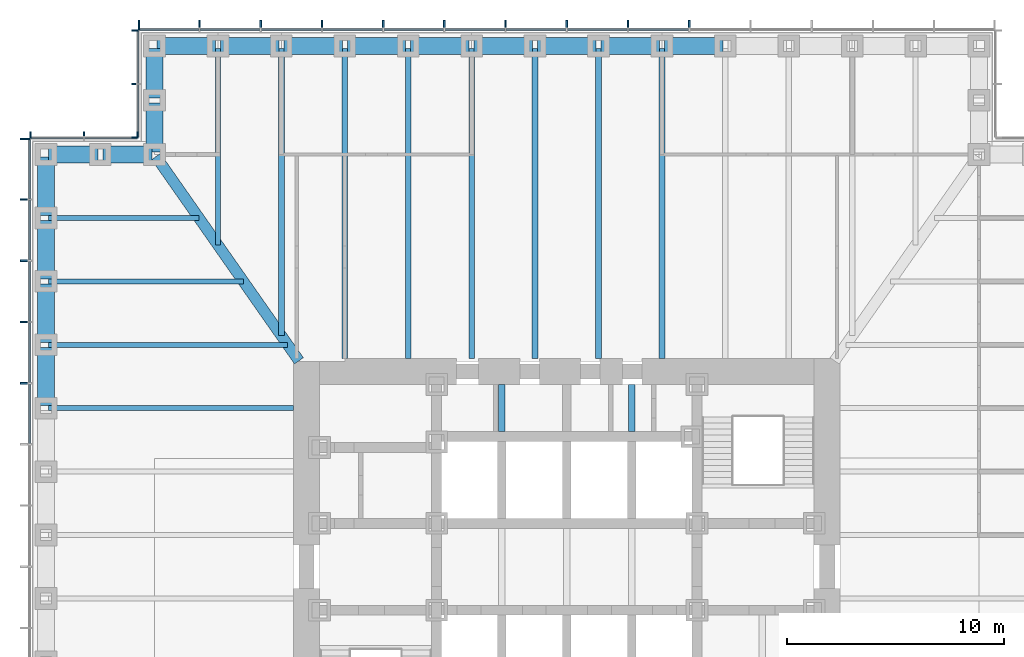
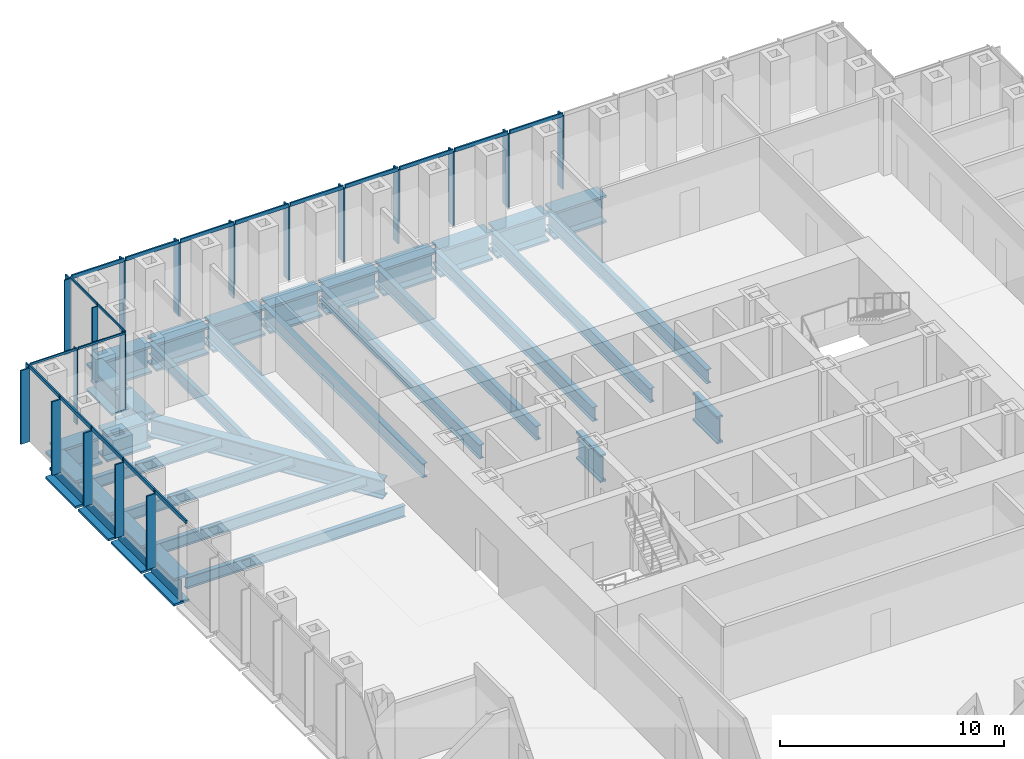
# One storey, part 5 of 16: 39 members, 32 beams, 4 elements without a shape of their own.
"""IFC4 building model written with IfcOpenShell, lengths in metres."""

from ifc_helpers import new_model, si_unit, direction, frame, origin, origin_2d, place, context, subcontext, project, spatial, rectangle, i_section, extrude, material, material_profile, profile_set, type_object, element, aggregate, save


model = new_model("IFC4")

# Units and contexts
model_context = context("Model", 3, precision=1e-05, world=origin(), true_north=direction((0.0, 1.0)))
body_context = subcontext(model_context, "Body", "Model", "MODEL_VIEW")
ifc_project = project(units=[si_unit("LENGTHUNIT", "METRE"), si_unit("AREAUNIT", "SQUARE_METRE"), si_unit("VOLUMEUNIT", "CUBIC_METRE"), si_unit("PLANEANGLEUNIT", "RADIAN"), si_unit("MASSUNIT", "GRAM", prefix="KILO")], contexts=[model_context])

# Site, building, storey
site_placement = place(None, origin())
site = spatial("IfcSite", under=ifc_project, at=site_placement, CompositionType="ELEMENT")
building_placement = place(site_placement, origin())
building = spatial("IfcBuilding", under=site, at=building_placement, Name="Daluyong Arena Tower", CompositionType="ELEMENT")
storey_placement = place(building_placement, frame((0.0, 0.0, 51.699951171875)))
storey = spatial("IfcBuildingStorey", under=building, at=storey_placement, Name="L10", CompositionType="ELEMENT", Elevation=51.699951171875)

# Curtain wall, members
ifc_material_1 = material(Name="Bronze anodised aluminium and glass", Category="aluminium")
curtain_wall_type_1 = type_object("IfcCurtainWallType", Name="Curtain wall CW1", PredefinedType="USERDEFINED", material=ifc_material_1)
curtain_wall_1_placement = place(storey_placement, origin())
curtain_wall_1 = element("IfcCurtainWall", 1, at=curtain_wall_1_placement, inside=storey, type_object=curtain_wall_type_1, Name="curtain wall L10 N", ObjectType="UNITISED CURTAIN WALL", PredefinedType="USERDEFINED")
ifc_material_2 = material(Name="Bronze anodised aluminium fin", Category="aluminium")
ifc_material_profile_1 = material_profile(ifc_material_2, rectangle(XDim=0.449951171875, YDim=0.080078125, at=origin_2d()))
ifc_profile_set_1 = profile_set([ifc_material_profile_1], Name="Bronze anodised aluminium fin")
member_type_1 = type_object("IfcMemberType", Name="CW1 bronze fin 450x80", PredefinedType="MULLION", material=ifc_profile_set_1)
member_1_placement = place(storey_placement, frame((61.642822265625, 104.97509765625, 0.0), z_axis=(0.0, 0.0, 1.0), x_axis=(0.0, -1.0, 0.0)))
member_1 = element("IfcMember", 2, at=member_1_placement, type_object=member_type_1, Name="curtain wall L10 N fin 6", PredefinedType="MULLION", context=body_context, shape_type="SweptSolid", body=[
    extrude(rectangle(XDim=0.449951171875, YDim=0.080078125, at=origin_2d()), origin(), (0.0, 0.0, 1.0), 4.0),
])
member_2_placement = place(storey_placement, frame((58.821533203125, 104.97509765625, 0.0), z_axis=(0.0, 0.0, 1.0), x_axis=(0.0, -1.0, 0.0)))
member_2 = element("IfcMember", 3, at=member_2_placement, type_object=member_type_1, Name="curtain wall L10 N fin 7", PredefinedType="MULLION", context=body_context, shape_type="SweptSolid", body=[
    extrude(rectangle(XDim=0.449951171875, YDim=0.080078125, at=origin_2d()), origin(), (0.0, 0.0, 1.0), 4.0),
])
member_3_placement = place(storey_placement, frame((56.0, 104.97509765625, 0.0), z_axis=(0.0, 0.0, 1.0), x_axis=(0.0, -1.0, 0.0)))
member_3 = element("IfcMember", 4, at=member_3_placement, type_object=member_type_1, Name="curtain wall L10 N fin 8", PredefinedType="MULLION", context=body_context, shape_type="SweptSolid", body=[
    extrude(rectangle(XDim=0.449951171875, YDim=0.080078125, at=origin_2d()), origin(), (0.0, 0.0, 1.0), 4.0),
])
member_4_placement = place(storey_placement, frame((53.178466796875, 104.97509765625, 0.0), z_axis=(0.0, 0.0, 1.0), x_axis=(0.0, -1.0, 0.0)))
member_4 = element("IfcMember", 5, at=member_4_placement, type_object=member_type_1, Name="curtain wall L10 N fin 9", PredefinedType="MULLION", context=body_context, shape_type="SweptSolid", body=[
    extrude(rectangle(XDim=0.449951171875, YDim=0.080078125, at=origin_2d()), origin(), (0.0, 0.0, 1.0), 4.0),
])
member_5_placement = place(storey_placement, frame((50.357177734375, 104.97509765625, 0.0), z_axis=(0.0, 0.0, 1.0), x_axis=(0.0, -1.0, 0.0)))
member_5 = element("IfcMember", 6, at=member_5_placement, type_object=member_type_1, Name="curtain wall L10 N fin 10", PredefinedType="MULLION", context=body_context, shape_type="SweptSolid", body=[
    extrude(rectangle(XDim=0.449951171875, YDim=0.080078125, at=origin_2d()), origin(), (0.0, 0.0, 1.0), 4.0),
])
member_6_placement = place(storey_placement, frame((47.53564453125, 104.97509765625, 0.0), z_axis=(0.0, 0.0, 1.0), x_axis=(0.0, -1.0, 0.0)))
member_6 = element("IfcMember", 7, at=member_6_placement, type_object=member_type_1, Name="curtain wall L10 N fin 11", PredefinedType="MULLION", context=body_context, shape_type="SweptSolid", body=[
    extrude(rectangle(XDim=0.449951171875, YDim=0.080078125, at=origin_2d()), origin(), (0.0, 0.0, 1.0), 4.0),
])
member_7_placement = place(storey_placement, frame((44.71435546875, 104.97509765625, 0.0), z_axis=(0.0, 0.0, 1.0), x_axis=(0.0, -1.0, 0.0)))
member_7 = element("IfcMember", 8, at=member_7_placement, type_object=member_type_1, Name="curtain wall L10 N fin 12", PredefinedType="MULLION", context=body_context, shape_type="SweptSolid", body=[
    extrude(rectangle(XDim=0.449951171875, YDim=0.080078125, at=origin_2d()), origin(), (0.0, 0.0, 1.0), 4.0),
])
member_8_placement = place(storey_placement, frame((41.892822265625, 104.97509765625, 0.0), z_axis=(0.0, 0.0, 1.0), x_axis=(0.0, -1.0, 0.0)))
member_8 = element("IfcMember", 9, at=member_8_placement, type_object=member_type_1, Name="curtain wall L10 N fin 13", PredefinedType="MULLION", context=body_context, shape_type="SweptSolid", body=[
    extrude(rectangle(XDim=0.449951171875, YDim=0.080078125, at=origin_2d()), origin(), (0.0, 0.0, 1.0), 4.0),
])
member_9_placement = place(storey_placement, frame((39.071533203125, 104.97509765625, 0.0), z_axis=(0.0, 0.0, 1.0), x_axis=(0.0, -1.0, 0.0)))
member_9 = element("IfcMember", 10, at=member_9_placement, type_object=member_type_1, Name="curtain wall L10 N fin 14", PredefinedType="MULLION", context=body_context, shape_type="SweptSolid", body=[
    extrude(rectangle(XDim=0.449951171875, YDim=0.080078125, at=origin_2d()), origin(), (0.0, 0.0, 1.0), 4.0),
])
member_10_placement = place(storey_placement, frame((36.2900390625, 104.97509765625, 0.0), z_axis=(0.0, 0.0, 1.0), x_axis=(0.0, -1.0, 0.0)))
member_10 = element("IfcMember", 11, at=member_10_placement, type_object=member_type_1, Name="curtain wall L10 N fin 15", PredefinedType="MULLION", context=body_context, shape_type="SweptSolid", body=[
    extrude(rectangle(XDim=0.449951171875, YDim=0.080078125, at=origin_2d()), origin(), (0.0, 0.0, 1.0), 4.0),
])

curtain_wall_2_placement = place(storey_placement, origin())
curtain_wall_2 = element("IfcCurtainWall", 12, at=curtain_wall_2_placement, inside=storey, type_object=curtain_wall_type_1, Name="curtain wall L10 W", ObjectType="UNITISED CURTAIN WALL", PredefinedType="USERDEFINED")
member_11_placement = place(storey_placement, frame((31.02490234375, 99.7099609375, 0.0), z_axis=(0.0, 0.0, 1.0), x_axis=(1.0, 0.0, 0.0)))
member_11 = element("IfcMember", 13, at=member_11_placement, type_object=member_type_1, Name="curtain wall L10 W fin 1", PredefinedType="MULLION", context=body_context, shape_type="SweptSolid", body=[
    extrude(rectangle(XDim=0.449951171875, YDim=0.080078125, at=origin_2d()), origin(), (0.0, 0.0, 1.0), 4.0),
])
member_12_placement = place(storey_placement, frame((31.02490234375, 96.928466796875, 0.0), z_axis=(0.0, 0.0, 1.0), x_axis=(1.0, 0.0, 0.0)))
member_12 = element("IfcMember", 14, at=member_12_placement, type_object=member_type_1, Name="curtain wall L10 W fin 2", PredefinedType="MULLION", context=body_context, shape_type="SweptSolid", body=[
    extrude(rectangle(XDim=0.449951171875, YDim=0.080078125, at=origin_2d()), origin(), (0.0, 0.0, 1.0), 4.0),
])
member_13_placement = place(storey_placement, frame((31.02490234375, 94.107177734375, 0.0), z_axis=(0.0, 0.0, 1.0), x_axis=(1.0, 0.0, 0.0)))
member_13 = element("IfcMember", 15, at=member_13_placement, type_object=member_type_1, Name="curtain wall L10 W fin 3", PredefinedType="MULLION", context=body_context, shape_type="SweptSolid", body=[
    extrude(rectangle(XDim=0.449951171875, YDim=0.080078125, at=origin_2d()), origin(), (0.0, 0.0, 1.0), 4.0),
])
member_14_placement = place(storey_placement, frame((31.02490234375, 91.28564453125, 0.0), z_axis=(0.0, 0.0, 1.0), x_axis=(1.0, 0.0, 0.0)))
member_14 = element("IfcMember", 16, at=member_14_placement, type_object=member_type_1, Name="curtain wall L10 W fin 4", PredefinedType="MULLION", context=body_context, shape_type="SweptSolid", body=[
    extrude(rectangle(XDim=0.449951171875, YDim=0.080078125, at=origin_2d()), origin(), (0.0, 0.0, 1.0), 4.0),
])
member_15_placement = place(storey_placement, frame((31.02490234375, 88.46435546875, 0.0), z_axis=(0.0, 0.0, 1.0), x_axis=(1.0, 0.0, 0.0)))
member_15 = element("IfcMember", 17, at=member_15_placement, type_object=member_type_1, Name="curtain wall L10 W fin 5", PredefinedType="MULLION", context=body_context, shape_type="SweptSolid", body=[
    extrude(rectangle(XDim=0.449951171875, YDim=0.080078125, at=origin_2d()), origin(), (0.0, 0.0, 1.0), 4.0),
])

# Member
ifc_material_3 = material(Name="Bronze anodised aluminium", Category="aluminium")
ifc_material_profile_2 = material_profile(ifc_material_3, rectangle(XDim=0.080078125, YDim=0.199951171875, at=origin_2d()))
ifc_profile_set_2 = profile_set([ifc_material_profile_2], Name="Bronze anodised aluminium")
member_type_2 = type_object("IfcMemberType", Name="CW1 stack transom 200x80", PredefinedType="USERDEFINED", material=ifc_profile_set_2)
member_16_placement = place(storey_placement, frame((61.602783203125, 104.75, 4.10009765625), z_axis=(-1.0, 0.0, 0.0), x_axis=(0.0, -1.0, 0.0)))
member_16 = element("IfcMember", 18, at=member_16_placement, type_object=member_type_2, Name="curtain wall L10 N transom 6", ObjectType="TRANSOM", PredefinedType="USERDEFINED", context=body_context, shape_type="SweptSolid", body=[
    extrude(rectangle(XDim=0.080078125, YDim=0.199951171875, at=origin_2d()), origin(), (0.0, 0.0, 1.0), 2.741455078125),
])

member_17_placement = place(storey_placement, frame((58.781494140625, 104.75, 4.10009765625), z_axis=(-1.0, 0.0, 0.0), x_axis=(0.0, -1.0, 0.0)))
member_17 = element("IfcMember", 19, at=member_17_placement, type_object=member_type_2, Name="curtain wall L10 N transom 7", ObjectType="TRANSOM", PredefinedType="USERDEFINED", context=body_context, shape_type="SweptSolid", body=[
    extrude(rectangle(XDim=0.080078125, YDim=0.199951171875, at=origin_2d()), origin(), (0.0, 0.0, 1.0), 2.741455078125),
])

member_18_placement = place(storey_placement, frame((55.9599609375, 104.75, 4.10009765625), z_axis=(-1.0, 0.0, 0.0), x_axis=(0.0, -1.0, 0.0)))
member_18 = element("IfcMember", 20, at=member_18_placement, type_object=member_type_2, Name="curtain wall L10 N transom 8", ObjectType="TRANSOM", PredefinedType="USERDEFINED", context=body_context, shape_type="SweptSolid", body=[
    extrude(rectangle(XDim=0.080078125, YDim=0.199951171875, at=origin_2d()), origin(), (0.0, 0.0, 1.0), 2.741455078125),
])

member_19_placement = place(storey_placement, frame((53.138671875, 104.75, 4.10009765625), z_axis=(-1.0, 0.0, 0.0), x_axis=(0.0, -1.0, 0.0)))
member_19 = element("IfcMember", 21, at=member_19_placement, type_object=member_type_2, Name="curtain wall L10 N transom 9", ObjectType="TRANSOM", PredefinedType="USERDEFINED", context=body_context, shape_type="SweptSolid", body=[
    extrude(rectangle(XDim=0.080078125, YDim=0.199951171875, at=origin_2d()), origin(), (0.0, 0.0, 1.0), 2.741455078125),
])

member_20_placement = place(storey_placement, frame((50.317138671875, 104.75, 4.10009765625), z_axis=(-1.0, 0.0, 0.0), x_axis=(0.0, -1.0, 0.0)))
member_20 = element("IfcMember", 22, at=member_20_placement, type_object=member_type_2, Name="curtain wall L10 N transom 10", ObjectType="TRANSOM", PredefinedType="USERDEFINED", context=body_context, shape_type="SweptSolid", body=[
    extrude(rectangle(XDim=0.080078125, YDim=0.199951171875, at=origin_2d()), origin(), (0.0, 0.0, 1.0), 2.741455078125),
])

member_21_placement = place(storey_placement, frame((47.49560546875, 104.75, 4.10009765625), z_axis=(-1.0, 0.0, 0.0), x_axis=(0.0, -1.0, 0.0)))
member_21 = element("IfcMember", 23, at=member_21_placement, type_object=member_type_2, Name="curtain wall L10 N transom 11", ObjectType="TRANSOM", PredefinedType="USERDEFINED", context=body_context, shape_type="SweptSolid", body=[
    extrude(rectangle(XDim=0.080078125, YDim=0.199951171875, at=origin_2d()), origin(), (0.0, 0.0, 1.0), 2.7412109375),
])

member_22_placement = place(storey_placement, frame((44.67431640625, 104.75, 4.10009765625), z_axis=(-1.0, 0.0, 0.0), x_axis=(0.0, -1.0, 0.0)))
member_22 = element("IfcMember", 24, at=member_22_placement, type_object=member_type_2, Name="curtain wall L10 N transom 12", ObjectType="TRANSOM", PredefinedType="USERDEFINED", context=body_context, shape_type="SweptSolid", body=[
    extrude(rectangle(XDim=0.080078125, YDim=0.199951171875, at=origin_2d()), origin(), (0.0, 0.0, 1.0), 2.741455078125),
])

member_23_placement = place(storey_placement, frame((41.852783203125, 104.75, 4.10009765625), z_axis=(-1.0, 0.0, 0.0), x_axis=(0.0, -1.0, 0.0)))
member_23 = element("IfcMember", 25, at=member_23_placement, type_object=member_type_2, Name="curtain wall L10 N transom 13", ObjectType="TRANSOM", PredefinedType="USERDEFINED", context=body_context, shape_type="SweptSolid", body=[
    extrude(rectangle(XDim=0.080078125, YDim=0.199951171875, at=origin_2d()), origin(), (0.0, 0.0, 1.0), 2.741455078125),
])

member_24_placement = place(storey_placement, frame((39.031494140625, 104.75, 4.10009765625), z_axis=(-1.0, 0.0, 0.0), x_axis=(0.0, -1.0, 0.0)))
member_24 = element("IfcMember", 26, at=member_24_placement, type_object=member_type_2, Name="curtain wall L10 N transom 14", ObjectType="TRANSOM", PredefinedType="USERDEFINED", context=body_context, shape_type="SweptSolid", body=[
    extrude(rectangle(XDim=0.080078125, YDim=0.199951171875, at=origin_2d()), origin(), (0.0, 0.0, 1.0), 2.701416015625),
])

aggregate(curtain_wall_1, [member_1, member_2, member_3, member_4, member_5, member_6, member_7, member_8, member_9, member_10, member_16, member_17, member_18, member_19, member_20, member_21, member_22, member_23, member_24])

member_25_placement = place(storey_placement, frame((31.25, 99.669921875, 4.10009765625), z_axis=(0.0, -1.0, 0.0), x_axis=(1.0, 0.0, 0.0)))
member_25 = element("IfcMember", 27, at=member_25_placement, type_object=member_type_2, Name="curtain wall L10 W transom 1", ObjectType="TRANSOM", PredefinedType="USERDEFINED", context=body_context, shape_type="SweptSolid", body=[
    extrude(rectangle(XDim=0.080078125, YDim=0.199951171875, at=origin_2d()), origin(), (0.0, 0.0, 1.0), 2.701416015625),
])

member_26_placement = place(storey_placement, frame((31.25, 96.888671875, 4.10009765625), z_axis=(0.0, -1.0, 0.0), x_axis=(1.0, 0.0, 0.0)))
member_26 = element("IfcMember", 28, at=member_26_placement, type_object=member_type_2, Name="curtain wall L10 W transom 2", ObjectType="TRANSOM", PredefinedType="USERDEFINED", context=body_context, shape_type="SweptSolid", body=[
    extrude(rectangle(XDim=0.080078125, YDim=0.199951171875, at=origin_2d()), origin(), (0.0, 0.0, 1.0), 2.741455078125),
])

member_27_placement = place(storey_placement, frame((31.25, 94.067138671875, 4.10009765625), z_axis=(0.0, -1.0, 0.0), x_axis=(1.0, 0.0, 0.0)))
member_27 = element("IfcMember", 29, at=member_27_placement, type_object=member_type_2, Name="curtain wall L10 W transom 3", ObjectType="TRANSOM", PredefinedType="USERDEFINED", context=body_context, shape_type="SweptSolid", body=[
    extrude(rectangle(XDim=0.080078125, YDim=0.199951171875, at=origin_2d()), origin(), (0.0, 0.0, 1.0), 2.741455078125),
])

member_28_placement = place(storey_placement, frame((31.25, 91.24560546875, 4.10009765625), z_axis=(0.0, -1.0, 0.0), x_axis=(1.0, 0.0, 0.0)))
member_28 = element("IfcMember", 30, at=member_28_placement, type_object=member_type_2, Name="curtain wall L10 W transom 4", ObjectType="TRANSOM", PredefinedType="USERDEFINED", context=body_context, shape_type="SweptSolid", body=[
    extrude(rectangle(XDim=0.080078125, YDim=0.199951171875, at=origin_2d()), origin(), (0.0, 0.0, 1.0), 2.7412109375),
])

member_29_placement = place(storey_placement, frame((31.25, 88.42431640625, 4.10009765625), z_axis=(0.0, -1.0, 0.0), x_axis=(1.0, 0.0, 0.0)))
member_29 = element("IfcMember", 31, at=member_29_placement, type_object=member_type_2, Name="curtain wall L10 W transom 5", ObjectType="TRANSOM", PredefinedType="USERDEFINED", context=body_context, shape_type="SweptSolid", body=[
    extrude(rectangle(XDim=0.080078125, YDim=0.199951171875, at=origin_2d()), origin(), (0.0, 0.0, 1.0), 2.741455078125),
])

aggregate(curtain_wall_2, [member_11, member_12, member_13, member_14, member_15, member_25, member_26, member_27, member_28, member_29])

# Curtain wall, members
ifc_material_4 = material(Name="Bronze anodised aluminium and glass", Category="aluminium")
curtain_wall_type_2 = type_object("IfcCurtainWallType", Name="Curtain wall CW7", PredefinedType="USERDEFINED", material=ifc_material_4)
curtain_wall_3_placement = place(storey_placement, origin())
curtain_wall_3 = element("IfcCurtainWall", 32, at=curtain_wall_3_placement, inside=storey, type_object=curtain_wall_type_2, Name="curtain wall L10 NW-W", ObjectType="UNITISED CURTAIN WALL", PredefinedType="USERDEFINED")
ifc_material_5 = material(Name="Bronze anodised aluminium fin", Category="aluminium")
ifc_material_profile_3 = material_profile(ifc_material_5, rectangle(XDim=0.300048828125, YDim=0.06005859375, at=origin_2d()))
ifc_profile_set_3 = profile_set([ifc_material_profile_3], Name="Bronze anodised aluminium fin")
member_type_3 = type_object("IfcMemberType", Name="CW7 bronze fin 300x60", PredefinedType="MULLION", material=ifc_profile_set_3)
member_30_placement = place(storey_placement, frame((36.10009765625, 104.719970703125, 0.0), z_axis=(0.0, 0.0, 1.0), x_axis=(1.0, 0.0, 0.0)))
member_30 = element("IfcMember", 33, at=member_30_placement, type_object=member_type_3, Name="curtain wall L10 NW-W fin 1", PredefinedType="MULLION", context=body_context, shape_type="SweptSolid", body=[
    extrude(rectangle(XDim=0.300048828125, YDim=0.06005859375, at=origin_2d()), origin(), (0.0, 0.0, 1.0), 4.080078125),
])
member_31_placement = place(storey_placement, frame((36.10009765625, 102.25, 0.0), z_axis=(0.0, 0.0, 1.0), x_axis=(1.0, 0.0, 0.0)))
member_31 = element("IfcMember", 34, at=member_31_placement, type_object=member_type_3, Name="curtain wall L10 NW-W fin 2", PredefinedType="MULLION", context=body_context, shape_type="SweptSolid", body=[
    extrude(rectangle(XDim=0.300048828125, YDim=0.06005859375, at=origin_2d()), origin(), (0.0, 0.0, 1.0), 4.080078125),
])
member_32_placement = place(storey_placement, frame((36.10009765625, 99.780029296875, 0.0), z_axis=(0.0, 0.0, 1.0), x_axis=(1.0, 0.0, 0.0)))
member_32 = element("IfcMember", 35, at=member_32_placement, type_object=member_type_3, Name="curtain wall L10 NW-W fin 3", PredefinedType="MULLION", context=body_context, shape_type="SweptSolid", body=[
    extrude(rectangle(XDim=0.300048828125, YDim=0.06005859375, at=origin_2d()), origin(), (0.0, 0.0, 1.0), 4.080078125),
])

curtain_wall_4_placement = place(storey_placement, origin())
curtain_wall_4 = element("IfcCurtainWall", 36, at=curtain_wall_4_placement, inside=storey, type_object=curtain_wall_type_2, Name="curtain wall L10 NW-N", ObjectType="UNITISED CURTAIN WALL", PredefinedType="USERDEFINED")
member_33_placement = place(storey_placement, frame((36.219970703125, 99.89990234375, 0.0), z_axis=(0.0, 0.0, 1.0), x_axis=(0.0, -1.0, 0.0)))
member_33 = element("IfcMember", 37, at=member_33_placement, type_object=member_type_3, Name="curtain wall L10 NW-N fin 1", PredefinedType="MULLION", context=body_context, shape_type="SweptSolid", body=[
    extrude(rectangle(XDim=0.300048828125, YDim=0.06005859375, at=origin_2d()), origin(), (0.0, 0.0, 1.0), 4.080078125),
])
member_34_placement = place(storey_placement, frame((33.75, 99.89990234375, 0.0), z_axis=(0.0, 0.0, 1.0), x_axis=(0.0, -1.0, 0.0)))
member_34 = element("IfcMember", 38, at=member_34_placement, type_object=member_type_3, Name="curtain wall L10 NW-N fin 2", PredefinedType="MULLION", context=body_context, shape_type="SweptSolid", body=[
    extrude(rectangle(XDim=0.300048828125, YDim=0.06005859375, at=origin_2d()), origin(), (0.0, 0.0, 1.0), 4.080078125),
])
member_35_placement = place(storey_placement, frame((31.280029296875, 99.89990234375, 0.0), z_axis=(0.0, 0.0, 1.0), x_axis=(0.0, -1.0, 0.0)))
member_35 = element("IfcMember", 39, at=member_35_placement, type_object=member_type_3, Name="curtain wall L10 NW-N fin 3", PredefinedType="MULLION", context=body_context, shape_type="SweptSolid", body=[
    extrude(rectangle(XDim=0.300048828125, YDim=0.06005859375, at=origin_2d()), origin(), (0.0, 0.0, 1.0), 4.080078125),
])

# Member
ifc_material_6 = material(Name="Bronze anodised aluminium", Category="aluminium")
ifc_material_profile_4 = material_profile(ifc_material_6, rectangle(XDim=0.06005859375, YDim=0.1201171875, at=origin_2d()))
ifc_profile_set_4 = profile_set([ifc_material_profile_4], Name="Bronze anodised aluminium")
member_type_4 = type_object("IfcMemberType", Name="CW7 stack transom 120x60", PredefinedType="USERDEFINED", material=ifc_profile_set_4)
member_36_placement = place(storey_placement, frame((36.25, 104.68994140625, 4.14013671875), z_axis=(0.0, -1.0, 0.0), x_axis=(1.0, 0.0, 0.0)))
member_36 = element("IfcMember", 40, at=member_36_placement, type_object=member_type_4, Name="curtain wall L10 NW-W transom 1", ObjectType="TRANSOM", PredefinedType="USERDEFINED", context=body_context, shape_type="SweptSolid", body=[
    extrude(rectangle(XDim=0.06005859375, YDim=0.1201171875, at=origin_2d()), origin(), (0.0, 0.0, 1.0), 2.409912109375),
])

member_37_placement = place(storey_placement, frame((36.25, 102.219970703125, 4.14013671875), z_axis=(0.0, -1.0, 0.0), x_axis=(1.0, 0.0, 0.0)))
member_37 = element("IfcMember", 41, at=member_37_placement, type_object=member_type_4, Name="curtain wall L10 NW-W transom 2", ObjectType="TRANSOM", PredefinedType="USERDEFINED", context=body_context, shape_type="SweptSolid", body=[
    extrude(rectangle(XDim=0.06005859375, YDim=0.1201171875, at=origin_2d()), origin(), (0.0, 0.0, 1.0), 2.409912109375),
])

aggregate(curtain_wall_3, [member_30, member_31, member_32, member_36, member_37])

member_38_placement = place(storey_placement, frame((36.18994140625, 99.75, 4.14013671875), z_axis=(-1.0, 0.0, 0.0), x_axis=(0.0, -1.0, 0.0)))
member_38 = element("IfcMember", 42, at=member_38_placement, type_object=member_type_4, Name="curtain wall L10 NW-N transom 1", ObjectType="TRANSOM", PredefinedType="USERDEFINED", context=body_context, shape_type="SweptSolid", body=[
    extrude(rectangle(XDim=0.06005859375, YDim=0.1201171875, at=origin_2d()), origin(), (0.0, 0.0, 1.0), 2.409912109375),
])

member_39_placement = place(storey_placement, frame((33.719970703125, 99.75, 4.14013671875), z_axis=(-1.0, 0.0, 0.0), x_axis=(0.0, -1.0, 0.0)))
member_39 = element("IfcMember", 43, at=member_39_placement, type_object=member_type_4, Name="curtain wall L10 NW-N transom 2", ObjectType="TRANSOM", PredefinedType="USERDEFINED", context=body_context, shape_type="SweptSolid", body=[
    extrude(rectangle(XDim=0.06005859375, YDim=0.1201171875, at=origin_2d()), origin(), (0.0, 0.0, 1.0), 2.409912109375),
])

aggregate(curtain_wall_4, [member_33, member_34, member_35, member_38, member_39])

# Beams
ifc_material_7 = material(Name="Steel ASTM A572 Grade 50", Category="steel")
ifc_material_profile_5 = material_profile(ifc_material_7, i_section(OverallWidth=0.5, OverallDepth=1.0, WebThickness=0.03, FlangeThickness=0.06, at=origin_2d()))
ifc_profile_set_5 = profile_set([ifc_material_profile_5], Name="Steel ASTM A572 Grade 50")
beam_type_1 = type_object("IfcBeamType", Name="Corner girder TB1000X500", PredefinedType="BEAM", material=ifc_profile_set_5)
beam_1_placement = place(storey_placement, frame((37.06591796875, 98.90576171875, -0.659912109375), z_axis=(0.573466621875, -0.819228926244, 0.0), x_axis=(0.819228926244, 0.573466621875, 0.0)))
element("IfcBeam", 44, at=beam_1_placement, inside=storey, type_object=beam_type_1, Name="corner girder DG2", PredefinedType="BEAM", context=body_context, shape_type="SweptSolid", body=[
    extrude(i_section(OverallWidth=0.5, OverallDepth=1.0, WebThickness=0.03, FlangeThickness=0.06, at=origin_2d()), origin(), (0.0, 0.0, 1.0), 11.49169921875),
])
ifc_material_8 = material(Name="Steel ASTM A992 Grade 50", Category="steel")
ifc_material_profile_6 = material_profile(ifc_material_8, i_section(OverallWidth=0.22900390625, OverallDepth=0.612060546875, WebThickness=0.011962890625, FlangeThickness=0.01953125, at=origin_2d()))
ifc_profile_set_6 = profile_set([ifc_material_profile_6], Name="Steel ASTM A992 Grade 50")
beam_type_2 = type_object("IfcBeamType", Name="Floor beam W24X84", PredefinedType="BEAM", material=ifc_profile_set_6)
beam_2_placement = place(storey_placement, frame((39.923095703125, 103.885009765625, -0.466064453125), z_axis=(0.0, -1.0, 0.0), x_axis=(1.0, 0.0, 0.0)))
element("IfcBeam", 45, at=beam_2_placement, inside=storey, type_object=beam_type_2, Name="floor beam FB3", PredefinedType="BEAM", context=body_context, shape_type="SweptSolid", body=[
    extrude(i_section(OverallWidth=0.22900390625, OverallDepth=0.612060546875, WebThickness=0.011962890625, FlangeThickness=0.01953125, at=origin_2d()), origin(), (0.0, 0.0, 1.0), 9.060791015625),
])
beam_3_placement = place(storey_placement, frame((32.114990234375, 96.076904296875, -0.466064453125), z_axis=(1.0, 0.0, 0.0), x_axis=(0.0, 1.0, 0.0)))
element("IfcBeam", 46, at=beam_3_placement, inside=storey, type_object=beam_type_2, Name="floor beam FB3", PredefinedType="BEAM", context=body_context, shape_type="SweptSolid", body=[
    extrude(i_section(OverallWidth=0.22900390625, OverallDepth=0.612060546875, WebThickness=0.011962890625, FlangeThickness=0.01953125, at=origin_2d()), origin(), (0.0, 0.0, 1.0), 6.93115234375),
])
beam_4_placement = place(storey_placement, frame((32.114990234375, 93.15380859375, -0.466064453125), z_axis=(1.0, 0.0, 0.0), x_axis=(0.0, 1.0, 0.0)))
element("IfcBeam", 47, at=beam_4_placement, inside=storey, type_object=beam_type_2, Name="floor beam FB3", PredefinedType="BEAM", context=body_context, shape_type="SweptSolid", body=[
    extrude(i_section(OverallWidth=0.22900390625, OverallDepth=0.612060546875, WebThickness=0.011962890625, FlangeThickness=0.01953125, at=origin_2d()), origin(), (0.0, 0.0, 1.0), 8.977294921875),
])
beam_5_placement = place(storey_placement, frame((32.114990234375, 90.230712890625, -0.466064453125), z_axis=(1.0, 0.0, 0.0), x_axis=(0.0, 1.0, 0.0)))
element("IfcBeam", 48, at=beam_5_placement, inside=storey, type_object=beam_type_2, Name="floor beam FB3", PredefinedType="BEAM", context=body_context, shape_type="SweptSolid", body=[
    extrude(i_section(OverallWidth=0.22900390625, OverallDepth=0.612060546875, WebThickness=0.011962890625, FlangeThickness=0.01953125, at=origin_2d()), origin(), (0.0, 0.0, 1.0), 11.0234375),
])
beam_6_placement = place(storey_placement, frame((32.114990234375, 87.3076171875, -0.466064453125), z_axis=(1.0, 0.0, 0.0), x_axis=(0.0, 1.0, 0.0)))
element("IfcBeam", 49, at=beam_6_placement, inside=storey, type_object=beam_type_2, Name="floor beam FB3", PredefinedType="BEAM", context=body_context, shape_type="SweptSolid", body=[
    extrude(i_section(OverallWidth=0.22900390625, OverallDepth=0.612060546875, WebThickness=0.011962890625, FlangeThickness=0.01953125, at=origin_2d()), origin(), (0.0, 0.0, 1.0), 11.284912109375),
])
ifc_material_9 = material(Name="Steel ASTM A992 Grade 50", Category="steel")
ifc_material_profile_7 = material_profile(ifc_material_9, i_section(OverallWidth=0.2666015625, OverallDepth=0.761962890625, WebThickness=0.014404296875, FlangeThickness=0.021484375, at=origin_2d()))
ifc_profile_set_7 = profile_set([ifc_material_profile_7], Name="Steel ASTM A992 Grade 50")
beam_type_3 = type_object("IfcBeamType", Name="Floor beam W30X116", PredefinedType="BEAM", material=ifc_profile_set_7)
for number, where, z_axis, x_axis, name in (
    (50, (60.384521484375, 103.885009765625, -0.541015625), (0.0, -1.0, 0.0), (1.0, 0.0, 0.0), "floor beam FB4"),
    (51, (57.46142578125, 103.885009765625, -0.541015625), (0.0, -1.0, 0.0), (1.0, 0.0, 0.0), "floor beam FB4"),
    (52, (54.53857421875, 103.885009765625, -0.541015625), (0.0, -1.0, 0.0), (1.0, 0.0, 0.0), "floor beam FB4"),
    (53, (51.615478515625, 103.885009765625, -0.541015625), (0.0, -1.0, 0.0), (1.0, 0.0, 0.0), "floor beam FB4"),
    (54, (48.6923828125, 103.885009765625, -0.541015625), (0.0, -1.0, 0.0), (1.0, 0.0, 0.0), "floor beam FB4"),
    (55, (45.769287109375, 103.885009765625, -0.541015625), (0.0, -1.0, 0.0), (1.0, 0.0, 0.0), "floor beam FB4"),
):
    element("IfcBeam", number, at=place(storey_placement, frame(where, z_axis=z_axis, x_axis=x_axis)), inside=storey, type_object=beam_type_3, Name=name, PredefinedType="BEAM", context=body_context, shape_type="SweptSolid", body=[
        extrude(i_section(OverallWidth=0.2666015625, OverallDepth=0.761962890625, WebThickness=0.014404296875, FlangeThickness=0.021484375, at=origin_2d()), origin(), (0.0, 0.0, 1.0), 14.284912109375),
    ])
beam_7_placement = place(storey_placement, frame((42.84619140625, 103.885009765625, -0.541015625), z_axis=(0.0, -1.0, 0.0), x_axis=(1.0, 0.0, 0.0)))
element("IfcBeam", 56, at=beam_7_placement, inside=storey, type_object=beam_type_3, Name="floor beam FB4", PredefinedType="BEAM", context=body_context, shape_type="SweptSolid", body=[
    extrude(i_section(OverallWidth=0.2666015625, OverallDepth=0.761962890625, WebThickness=0.014404296875, FlangeThickness=0.021484375, at=origin_2d()), origin(), (0.0, 0.0, 1.0), 13.236572265625),
])
ifc_material_10 = material(Name="Steel ASTM A572 Grade 50", Category="steel")
ifc_material_profile_8 = material_profile(ifc_material_10, i_section(OverallWidth=0.300048828125, OverallDepth=1.5, WebThickness=0.04, FlangeThickness=0.1, at=origin_2d()))
ifc_profile_set_8 = profile_set([ifc_material_profile_8], Name="Steel ASTM A572 Grade 50")
beam_type_4 = type_object("IfcBeamType", Name="Lift divider beam PG1500X300", PredefinedType="BEAM", material=ifc_profile_set_8)
for number, where, z_axis, x_axis, name in (
    (57, (53.0, 86.22509765625, -0.909912109375), (0.0, 1.0, 0.0), (-1.0, 0.0, 0.0), "lift divider beam DB2"),
    (58, (59.0, 86.22509765625, -0.909912109375), (0.0, 1.0, 0.0), (-1.0, 0.0, 0.0), "lift divider beam DB2"),
):
    element("IfcBeam", number, at=place(storey_placement, frame(where, z_axis=z_axis, x_axis=x_axis)), inside=storey, type_object=beam_type_4, Name=name, PredefinedType="BEAM", context=body_context, shape_type="SweptSolid", body=[
        extrude(i_section(OverallWidth=0.300048828125, OverallDepth=1.5, WebThickness=0.04, FlangeThickness=0.1, at=origin_2d()), origin(), (0.0, 0.0, 1.0), 2.1748046875),
    ])
ifc_material_11 = material(Name="Steel ASTM A588 Grade 50", Category="steel")
ifc_material_profile_9 = material_profile(ifc_material_11, i_section(OverallWidth=0.800048828125, OverallDepth=1.5, WebThickness=0.05, FlangeThickness=0.12, at=origin_2d()))
ifc_profile_set_9 = profile_set([ifc_material_profile_9], Name="Steel ASTM A588 Grade 50")
beam_type_5 = type_object("IfcBeamType", Name="Spandrel Z1 PG1500X800", PredefinedType="SPANDREL", material=ifc_profile_set_9)
for number, where, z_axis, x_axis, name in (
    (59, (63.192626953125, 104.0, -0.909912109375), (-1.0, 0.0, 0.0), (0.0, -1.0, 0.0), "spandrel z1 SB3"),
    (60, (60.26953125, 104.0, -0.909912109375), (-1.0, 0.0, 0.0), (0.0, -1.0, 0.0), "spandrel z1 SB3"),
):
    element("IfcBeam", number, at=place(storey_placement, frame(where, z_axis=z_axis, x_axis=x_axis)), inside=storey, type_object=beam_type_5, Name=name, PredefinedType="SPANDREL", context=body_context, shape_type="SweptSolid", body=[
        extrude(i_section(OverallWidth=0.800048828125, OverallDepth=1.5, WebThickness=0.05, FlangeThickness=0.12, at=origin_2d()), origin(), (0.0, 0.0, 1.0), 2.693115234375),
    ])
beam_8_placement = place(storey_placement, frame((57.346435546875, 104.0, -0.909912109375), z_axis=(-1.0, 0.0, 0.0), x_axis=(0.0, -1.0, 0.0)))
element("IfcBeam", 61, at=beam_8_placement, inside=storey, type_object=beam_type_5, Name="spandrel z1 SB3", PredefinedType="SPANDREL", context=body_context, shape_type="SweptSolid", body=[
    extrude(i_section(OverallWidth=0.800048828125, OverallDepth=1.5, WebThickness=0.05, FlangeThickness=0.12, at=origin_2d()), origin(), (0.0, 0.0, 1.0), 2.69287109375),
])
for number, where, z_axis, x_axis, name in (
    (62, (54.423583984375, 104.0, -0.909912109375), (-1.0, 0.0, 0.0), (0.0, -1.0, 0.0), "spandrel z1 SB3"),
    (63, (51.50048828125, 104.0, -0.909912109375), (-1.0, 0.0, 0.0), (0.0, -1.0, 0.0), "spandrel z1 SB3"),
    (64, (48.577392578125, 104.0, -0.909912109375), (-1.0, 0.0, 0.0), (0.0, -1.0, 0.0), "spandrel z1 SB3"),
    (65, (45.654296875, 104.0, -0.909912109375), (-1.0, 0.0, 0.0), (0.0, -1.0, 0.0), "spandrel z1 SB3"),
    (66, (42.731201171875, 104.0, -0.909912109375), (-1.0, 0.0, 0.0), (0.0, -1.0, 0.0), "spandrel z1 SB3"),
    (67, (39.80810546875, 104.0, -0.909912109375), (-1.0, 0.0, 0.0), (0.0, -1.0, 0.0), "spandrel z1 SB3"),
):
    element("IfcBeam", number, at=place(storey_placement, frame(where, z_axis=z_axis, x_axis=x_axis)), inside=storey, type_object=beam_type_5, Name=name, PredefinedType="SPANDREL", context=body_context, shape_type="SweptSolid", body=[
        extrude(i_section(OverallWidth=0.800048828125, OverallDepth=1.5, WebThickness=0.05, FlangeThickness=0.12, at=origin_2d()), origin(), (0.0, 0.0, 1.0), 2.693115234375),
    ])
for number, where, z_axis, x_axis, name in (
    (68, (37.0, 103.885009765625, -0.909912109375), (0.0, -1.0, 0.0), (1.0, 0.0, 0.0), "spandrel z1 SB3"),
    (69, (37.0, 101.385009765625, -0.909912109375), (0.0, -1.0, 0.0), (1.0, 0.0, 0.0), "spandrel z1 SB3"),
    (70, (36.885009765625, 99.0, -0.909912109375), (-1.0, 0.0, 0.0), (0.0, -1.0, 0.0), "spandrel z1 SB3"),
    (71, (34.385009765625, 99.0, -0.909912109375), (-1.0, 0.0, 0.0), (0.0, -1.0, 0.0), "spandrel z1 SB3"),
):
    element("IfcBeam", number, at=place(storey_placement, frame(where, z_axis=z_axis, x_axis=x_axis)), inside=storey, type_object=beam_type_5, Name=name, PredefinedType="SPANDREL", context=body_context, shape_type="SweptSolid", body=[
        extrude(i_section(OverallWidth=0.800048828125, OverallDepth=1.5, WebThickness=0.05, FlangeThickness=0.12, at=origin_2d()), origin(), (0.0, 0.0, 1.0), 2.27001953125),
    ])
for number, where, z_axis, x_axis, name in (
    (72, (32.0, 98.885009765625, -0.909912109375), (0.0, -1.0, 0.0), (1.0, 0.0, 0.0), "spandrel z1 SB3"),
    (73, (32.0, 95.9619140625, -0.909912109375), (0.0, -1.0, 0.0), (1.0, 0.0, 0.0), "spandrel z1 SB3"),
    (74, (32.0, 93.038818359375, -0.909912109375), (0.0, -1.0, 0.0), (1.0, 0.0, 0.0), "spandrel z1 SB3"),
    (75, (32.0, 90.11572265625, -0.909912109375), (0.0, -1.0, 0.0), (1.0, 0.0, 0.0), "spandrel z1 SB3"),
):
    element("IfcBeam", number, at=place(storey_placement, frame(where, z_axis=z_axis, x_axis=x_axis)), inside=storey, type_object=beam_type_5, Name=name, PredefinedType="SPANDREL", context=body_context, shape_type="SweptSolid", body=[
        extrude(i_section(OverallWidth=0.800048828125, OverallDepth=1.5, WebThickness=0.05, FlangeThickness=0.12, at=origin_2d()), origin(), (0.0, 0.0, 1.0), 2.693115234375),
    ])

save(model, "model.ifc")
